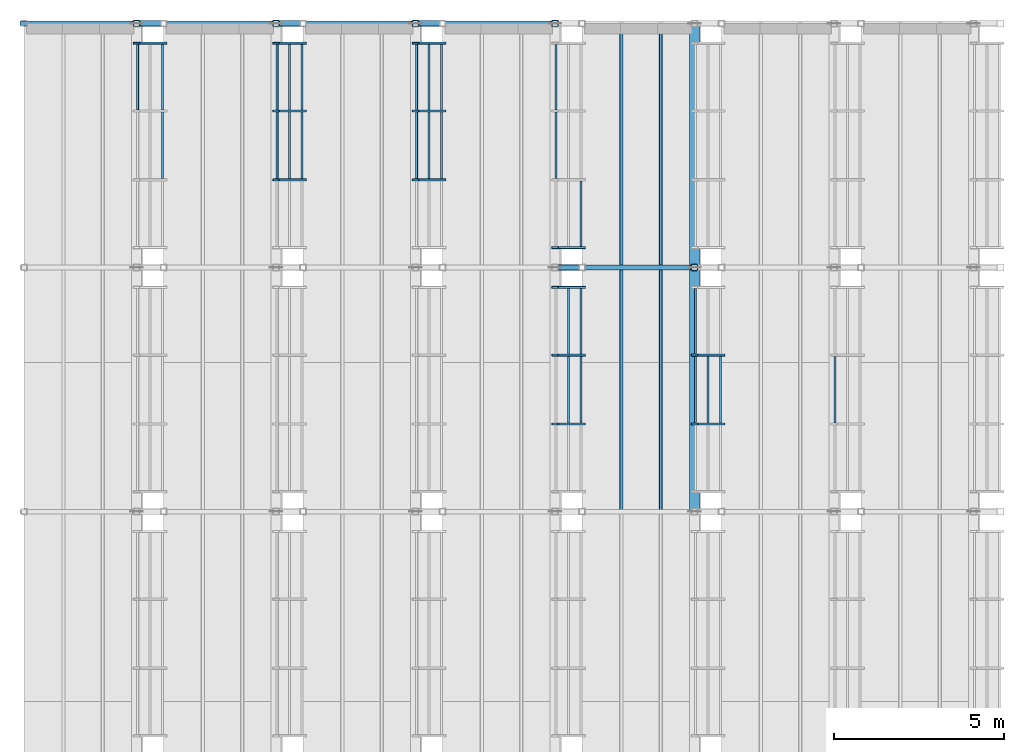
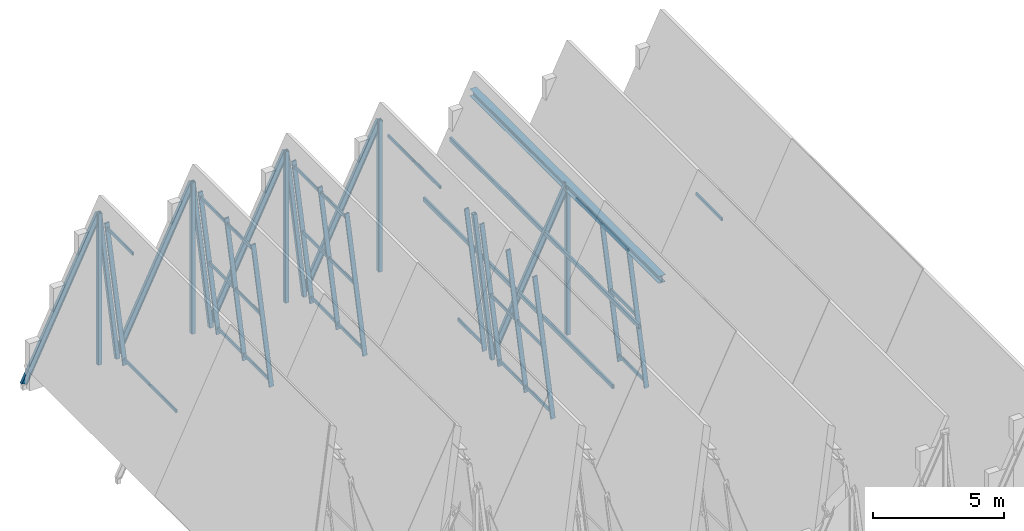
# One storey, part 8 of 28: 56 members, 1 beam, 7 elements without a shape of their own.
"""IFC4 building model written with IfcOpenShell, lengths in metres."""

from ifc_helpers import new_model, si_unit, direction, frame, origin, origin_2d, place, context, subcontext, project, spatial, hollow_rectangle, i_section, extrude, material, material_profile, profile_set, type_object, element, aggregate, save


model = new_model("IFC4")

# Units and contexts
model_context = context("Model", 3, precision=1e-05, world=origin(), true_north=direction((0.0, 1.0)))
body_context = subcontext(model_context, "Body", "Model", "MODEL_VIEW")
ifc_project = project(units=[si_unit("LENGTHUNIT", "METRE"), si_unit("AREAUNIT", "SQUARE_METRE"), si_unit("VOLUMEUNIT", "CUBIC_METRE"), si_unit("PLANEANGLEUNIT", "RADIAN"), si_unit("MASSUNIT", "GRAM", prefix="KILO")], contexts=[model_context])

# Site, building, storey
site_placement = place(None, origin())
site = spatial("IfcSite", under=ifc_project, at=site_placement, CompositionType="ELEMENT")
building_placement = place(site_placement, origin())
building = spatial("IfcBuilding", under=site, at=building_placement, Name="Bramveld Media Centre", CompositionType="ELEMENT")
storey_placement = place(building_placement, frame((0.0, 0.0, 33.89990234375)))
storey = spatial("IfcBuildingStorey", under=building, at=storey_placement, Name="ROOF", CompositionType="ELEMENT", Elevation=33.89990234375)

# Curtain wall, member
ifc_material_1 = material(Name="Thermally broken anodized bronze aluminium unitized curtain wall with solar-control triple glazing", Category="aluminium")
curtain_wall_type = type_object("IfcCurtainWallType", Name="CW-CRN-6100x6941", PredefinedType="NOTDEFINED", material=ifc_material_1)
curtain_wall_1_placement = place(storey_placement, origin())
curtain_wall_1 = element("IfcCurtainWall", 1, at=curtain_wall_1_placement, inside=storey, type_object=curtain_wall_type, Name="V7 crown clerestory B1-S4", PredefinedType="NOTDEFINED")
ifc_material_2 = material(Name="Thermally broken anodized bronze aluminium EN AW-6063 T6 curtain-wall framing", Category="aluminium")
ifc_material_profile_1 = material_profile(ifc_material_2, hollow_rectangle(XDim=0.070068359375, YDim=0.199951171875, WallThickness=0.00439453125, InnerFilletRadius=0.00439453125, OuterFilletRadius=0.009033203125, at=origin_2d()), Name="AL-MULL 70x200")
ifc_profile_set_1 = profile_set([ifc_material_profile_1], Name="Thermally broken anodized bronze aluminium EN AW-6063 T6 curtain-wall framing")
member_type_1 = type_object("IfcMemberType", Name="CW-MULL-SLP", PredefinedType="MULLION", material=ifc_profile_set_1)
member_1_placement = place(storey_placement, frame((135.314208984375, 111.4150390625, -0.02001953125), z_axis=(-0.115228868081, 0.0, 0.993338969315), x_axis=(0.0, -1.0, 0.0)))
member_1 = element("IfcMember", 2, at=member_1_placement, type_object=member_type_1, Name="CW-CR-6169 sloped mullion 4", PredefinedType="MULLION", context=body_context, shape_type="SweptSolid", body=[
    extrude(hollow_rectangle(XDim=0.070068359375, YDim=0.199951171875, WallThickness=0.00439453125, InnerFilletRadius=0.00439453125, OuterFilletRadius=0.009033203125, at=origin_2d()), origin(), (0.0, 0.0, 1.0), 6.94091796875),
])

# Curtain wall, members
curtain_wall_2_placement = place(storey_placement, origin())
curtain_wall_2 = element("IfcCurtainWall", 3, at=curtain_wall_2_placement, inside=storey, type_object=curtain_wall_type, Name="V7 crown clerestory B2-S4", PredefinedType="NOTDEFINED")
member_2_placement = place(storey_placement, frame((139.4287109375, 107.38330078125, -0.02001953125), z_axis=(-0.115263574492, 0.0, 0.993334942703), x_axis=(0.0, -1.0, 0.0)))
member_2 = element("IfcMember", 4, at=member_2_placement, type_object=member_type_1, Name="CW-CR-6169 sloped mullion 2", PredefinedType="MULLION", context=body_context, shape_type="SweptSolid", body=[
    extrude(hollow_rectangle(XDim=0.070068359375, YDim=0.199951171875, WallThickness=0.00439453125, InnerFilletRadius=0.00439453125, OuterFilletRadius=0.009033203125, at=origin_2d()), origin(), (0.0, 0.0, 1.0), 6.94091796875),
])
member_3_placement = place(storey_placement, frame((139.4287109375, 109.416748046875, -0.02001953125), z_axis=(-0.115263574492, 0.0, 0.993334942703), x_axis=(0.0, -1.0, 0.0)))
member_3 = element("IfcMember", 5, at=member_3_placement, type_object=member_type_1, Name="CW-CR-6169 sloped mullion 3", PredefinedType="MULLION", context=body_context, shape_type="SweptSolid", body=[
    extrude(hollow_rectangle(XDim=0.070068359375, YDim=0.199951171875, WallThickness=0.00439453125, InnerFilletRadius=0.00439453125, OuterFilletRadius=0.009033203125, at=origin_2d()), origin(), (0.0, 0.0, 1.0), 6.94091796875),
])
member_4_placement = place(storey_placement, frame((139.4287109375, 111.4150390625, -0.02001953125), z_axis=(-0.115263574492, 0.0, 0.993334942703), x_axis=(0.0, -1.0, 0.0)))
member_4 = element("IfcMember", 6, at=member_4_placement, type_object=member_type_1, Name="CW-CR-6169 sloped mullion 4", PredefinedType="MULLION", context=body_context, shape_type="SweptSolid", body=[
    extrude(hollow_rectangle(XDim=0.070068359375, YDim=0.199951171875, WallThickness=0.00439453125, InnerFilletRadius=0.00439453125, OuterFilletRadius=0.009033203125, at=origin_2d()), origin(), (0.0, 0.0, 1.0), 6.94091796875),
])

curtain_wall_3_placement = place(storey_placement, origin())
curtain_wall_3 = element("IfcCurtainWall", 7, at=curtain_wall_3_placement, inside=storey, type_object=curtain_wall_type, Name="V7 crown clerestory B3-S4", PredefinedType="NOTDEFINED")
member_5_placement = place(storey_placement, frame((143.54296875, 107.38330078125, -0.02001953125), z_axis=(-0.115263574492, 0.0, 0.993334942703), x_axis=(0.0, -1.0, 0.0)))
member_5 = element("IfcMember", 8, at=member_5_placement, type_object=member_type_1, Name="CW-CR-6169 sloped mullion 2", PredefinedType="MULLION", context=body_context, shape_type="SweptSolid", body=[
    extrude(hollow_rectangle(XDim=0.070068359375, YDim=0.199951171875, WallThickness=0.00439453125, InnerFilletRadius=0.00439453125, OuterFilletRadius=0.009033203125, at=origin_2d()), origin(), (0.0, 0.0, 1.0), 6.94091796875),
])
member_6_placement = place(storey_placement, frame((143.54296875, 109.416748046875, -0.02001953125), z_axis=(-0.115263574492, 0.0, 0.993334942703), x_axis=(0.0, -1.0, 0.0)))
member_6 = element("IfcMember", 9, at=member_6_placement, type_object=member_type_1, Name="CW-CR-6169 sloped mullion 3", PredefinedType="MULLION", context=body_context, shape_type="SweptSolid", body=[
    extrude(hollow_rectangle(XDim=0.070068359375, YDim=0.199951171875, WallThickness=0.00439453125, InnerFilletRadius=0.00439453125, OuterFilletRadius=0.009033203125, at=origin_2d()), origin(), (0.0, 0.0, 1.0), 6.94091796875),
])
member_7_placement = place(storey_placement, frame((143.54296875, 111.4150390625, -0.02001953125), z_axis=(-0.115263574492, 0.0, 0.993334942703), x_axis=(0.0, -1.0, 0.0)))
member_7 = element("IfcMember", 10, at=member_7_placement, type_object=member_type_1, Name="CW-CR-6169 sloped mullion 4", PredefinedType="MULLION", context=body_context, shape_type="SweptSolid", body=[
    extrude(hollow_rectangle(XDim=0.070068359375, YDim=0.199951171875, WallThickness=0.00439453125, InnerFilletRadius=0.00439453125, OuterFilletRadius=0.009033203125, at=origin_2d()), origin(), (0.0, 0.0, 1.0), 6.94091796875),
])

curtain_wall_4_placement = place(storey_placement, origin())
curtain_wall_4 = element("IfcCurtainWall", 11, at=curtain_wall_4_placement, inside=storey, type_object=curtain_wall_type, Name="V7 crown clerestory B4-S3", PredefinedType="NOTDEFINED")
member_8_placement = place(storey_placement, frame((147.656982421875, 100.183349609375, -0.02001953125), z_axis=(-0.115228868081, 0.0, 0.993338969315), x_axis=(0.0, -1.0, 0.0)))
member_8 = element("IfcMember", 12, at=member_8_placement, type_object=member_type_1, Name="CW-CR-6169 sloped mullion 2", PredefinedType="MULLION", context=body_context, shape_type="SweptSolid", body=[
    extrude(hollow_rectangle(XDim=0.070068359375, YDim=0.199951171875, WallThickness=0.00439453125, InnerFilletRadius=0.00439453125, OuterFilletRadius=0.009033203125, at=origin_2d()), origin(), (0.0, 0.0, 1.0), 6.94091796875),
])
member_9_placement = place(storey_placement, frame((147.656982421875, 102.216796875, -0.02001953125), z_axis=(-0.115228868081, 0.0, 0.993338969315), x_axis=(0.0, -1.0, 0.0)))
member_9 = element("IfcMember", 13, at=member_9_placement, type_object=member_type_1, Name="CW-CR-6169 sloped mullion 3", PredefinedType="MULLION", context=body_context, shape_type="SweptSolid", body=[
    extrude(hollow_rectangle(XDim=0.070068359375, YDim=0.199951171875, WallThickness=0.00439453125, InnerFilletRadius=0.00439453125, OuterFilletRadius=0.009033203125, at=origin_2d()), origin(), (0.0, 0.0, 1.0), 6.94091796875),
])
member_10_placement = place(storey_placement, frame((147.656982421875, 104.215087890625, -0.02001953125), z_axis=(-0.115228868081, 0.0, 0.993338969315), x_axis=(0.0, -1.0, 0.0)))
member_10 = element("IfcMember", 14, at=member_10_placement, type_object=member_type_1, Name="CW-CR-6169 sloped mullion 4", PredefinedType="MULLION", context=body_context, shape_type="SweptSolid", body=[
    extrude(hollow_rectangle(XDim=0.070068359375, YDim=0.199951171875, WallThickness=0.00439453125, InnerFilletRadius=0.00439453125, OuterFilletRadius=0.009033203125, at=origin_2d()), origin(), (0.0, 0.0, 1.0), 6.94091796875),
])

# Curtain wall, member
curtain_wall_5_placement = place(storey_placement, origin())
curtain_wall_5 = element("IfcCurtainWall", 15, at=curtain_wall_5_placement, inside=storey, type_object=curtain_wall_type, Name="V7 crown clerestory B4-S4", PredefinedType="NOTDEFINED")
member_11_placement = place(storey_placement, frame((147.656982421875, 105.385009765625, -0.02001953125), z_axis=(-0.115228868081, 0.0, 0.993338969315), x_axis=(0.0, -1.0, 0.0)))
member_11 = element("IfcMember", 16, at=member_11_placement, type_object=member_type_1, Name="CW-CR-6169 sloped mullion 1", PredefinedType="MULLION", context=body_context, shape_type="SweptSolid", body=[
    extrude(hollow_rectangle(XDim=0.070068359375, YDim=0.199951171875, WallThickness=0.00439453125, InnerFilletRadius=0.00439453125, OuterFilletRadius=0.009033203125, at=origin_2d()), origin(), (0.0, 0.0, 1.0), 6.94091796875),
])

# Curtain wall, members
curtain_wall_6_placement = place(storey_placement, origin())
curtain_wall_6 = element("IfcCurtainWall", 17, at=curtain_wall_6_placement, inside=storey, type_object=curtain_wall_type, Name="V7 crown clerestory B5-S3", PredefinedType="NOTDEFINED")
member_12_placement = place(storey_placement, frame((151.771484375, 100.183349609375, -0.02001953125), z_axis=(-0.115263574492, 0.0, 0.993334942703), x_axis=(0.0, -1.0, 0.0)))
member_12 = element("IfcMember", 18, at=member_12_placement, type_object=member_type_1, Name="CW-CR-6169 sloped mullion 2", PredefinedType="MULLION", context=body_context, shape_type="SweptSolid", body=[
    extrude(hollow_rectangle(XDim=0.070068359375, YDim=0.199951171875, WallThickness=0.00439453125, InnerFilletRadius=0.00439453125, OuterFilletRadius=0.009033203125, at=origin_2d()), origin(), (0.0, 0.0, 1.0), 6.94091796875),
])
member_13_placement = place(storey_placement, frame((151.771484375, 102.216796875, -0.02001953125), z_axis=(-0.115263574492, 0.0, 0.993334942703), x_axis=(0.0, -1.0, 0.0)))
member_13 = element("IfcMember", 19, at=member_13_placement, type_object=member_type_1, Name="CW-CR-6169 sloped mullion 3", PredefinedType="MULLION", context=body_context, shape_type="SweptSolid", body=[
    extrude(hollow_rectangle(XDim=0.070068359375, YDim=0.199951171875, WallThickness=0.00439453125, InnerFilletRadius=0.00439453125, OuterFilletRadius=0.009033203125, at=origin_2d()), origin(), (0.0, 0.0, 1.0), 6.94091796875),
])

# Member
ifc_material_3 = material(Name="Thermally broken anodized bronze aluminium EN AW-6063 T6 curtain-wall framing", Category="aluminium")
ifc_material_profile_2 = material_profile(ifc_material_3, hollow_rectangle(XDim=0.070068359375, YDim=0.14990234375, WallThickness=0.00390625, InnerFilletRadius=0.00390625, OuterFilletRadius=0.008056640625, at=origin_2d()), Name="AL-TRAN 70x150")
ifc_profile_set_2 = profile_set([ifc_material_profile_2], Name="Thermally broken anodized bronze aluminium EN AW-6063 T6 curtain-wall framing")
member_type_2 = type_object("IfcMemberType", Name="CW-TRAN-SLP", PredefinedType="USERDEFINED", material=ifc_profile_set_2)
member_14_placement = place(storey_placement, frame((135.2822265625, 107.418212890625, 0.255859375), z_axis=(0.0, 1.0, 0.0), x_axis=(-1.0, 0.0, 0.0)))
member_14 = element("IfcMember", 20, at=member_14_placement, type_object=member_type_2, Name="CW-CR-6169 transom 2.1", ObjectType="TRANSOM", PredefinedType="USERDEFINED", context=body_context, shape_type="SweptSolid", body=[
    extrude(hollow_rectangle(XDim=0.070068359375, YDim=0.14990234375, WallThickness=0.00390625, InnerFilletRadius=0.00390625, OuterFilletRadius=0.008056640625, at=origin_2d()), origin(), (0.0, 0.0, 1.0), 1.96337890625),
])

member_15_placement = place(storey_placement, frame((135.2822265625, 109.45166015625, 0.255859375), z_axis=(0.0, 1.0, 0.0), x_axis=(-1.0, 0.0, 0.0)))
member_15 = element("IfcMember", 21, at=member_15_placement, type_object=member_type_2, Name="CW-CR-6169 transom 3.1", ObjectType="TRANSOM", PredefinedType="USERDEFINED", context=body_context, shape_type="SweptSolid", body=[
    extrude(hollow_rectangle(XDim=0.070068359375, YDim=0.14990234375, WallThickness=0.00390625, InnerFilletRadius=0.00390625, OuterFilletRadius=0.008056640625, at=origin_2d()), origin(), (0.0, 0.0, 1.0), 1.92822265625),
])

member_16_placement = place(storey_placement, frame((134.54638671875, 109.45166015625, 6.598876953125), z_axis=(0.0, 1.0, 0.0), x_axis=(-1.0, 0.0, 0.0)))
member_16 = element("IfcMember", 22, at=member_16_placement, type_object=member_type_2, Name="CW-CR-6169 transom 3.3", ObjectType="TRANSOM", PredefinedType="USERDEFINED", context=body_context, shape_type="SweptSolid", body=[
    extrude(hollow_rectangle(XDim=0.070068359375, YDim=0.14990234375, WallThickness=0.00390625, InnerFilletRadius=0.00390625, OuterFilletRadius=0.008056640625, at=origin_2d()), origin(), (0.0, 0.0, 1.0), 1.92822265625),
])

aggregate(curtain_wall_1, [member_1, member_14, member_15, member_16])

member_17_placement = place(storey_placement, frame((139.396484375, 107.418212890625, 0.255859375), z_axis=(0.0, 1.0, 0.0), x_axis=(-1.0, 0.0, 0.0)))
member_17 = element("IfcMember", 23, at=member_17_placement, type_object=member_type_2, Name="CW-CR-6169 transom 2.1", ObjectType="TRANSOM", PredefinedType="USERDEFINED", context=body_context, shape_type="SweptSolid", body=[
    extrude(hollow_rectangle(XDim=0.070068359375, YDim=0.14990234375, WallThickness=0.00390625, InnerFilletRadius=0.00390625, OuterFilletRadius=0.008056640625, at=origin_2d()), origin(), (0.0, 0.0, 1.0), 1.96337890625),
])

member_18_placement = place(storey_placement, frame((139.028564453125, 107.418212890625, 3.427490234375), z_axis=(0.0, 1.0, 0.0), x_axis=(-1.0, 0.0, 0.0)))
member_18 = element("IfcMember", 24, at=member_18_placement, type_object=member_type_2, Name="CW-CR-6169 transom 2.2", ObjectType="TRANSOM", PredefinedType="USERDEFINED", context=body_context, shape_type="SweptSolid", body=[
    extrude(hollow_rectangle(XDim=0.070068359375, YDim=0.14990234375, WallThickness=0.00390625, InnerFilletRadius=0.00390625, OuterFilletRadius=0.008056640625, at=origin_2d()), origin(), (0.0, 0.0, 1.0), 1.96337890625),
])

member_19_placement = place(storey_placement, frame((138.66064453125, 107.418212890625, 6.598876953125), z_axis=(0.0, 1.0, 0.0), x_axis=(-1.0, 0.0, 0.0)))
member_19 = element("IfcMember", 25, at=member_19_placement, type_object=member_type_2, Name="CW-CR-6169 transom 2.3", ObjectType="TRANSOM", PredefinedType="USERDEFINED", context=body_context, shape_type="SweptSolid", body=[
    extrude(hollow_rectangle(XDim=0.070068359375, YDim=0.14990234375, WallThickness=0.00390625, InnerFilletRadius=0.00390625, OuterFilletRadius=0.008056640625, at=origin_2d()), origin(), (0.0, 0.0, 1.0), 1.96337890625),
])

member_20_placement = place(storey_placement, frame((139.396484375, 109.45166015625, 0.255859375), z_axis=(0.0, 1.0, 0.0), x_axis=(-1.0, 0.0, 0.0)))
member_20 = element("IfcMember", 26, at=member_20_placement, type_object=member_type_2, Name="CW-CR-6169 transom 3.1", ObjectType="TRANSOM", PredefinedType="USERDEFINED", context=body_context, shape_type="SweptSolid", body=[
    extrude(hollow_rectangle(XDim=0.070068359375, YDim=0.14990234375, WallThickness=0.00390625, InnerFilletRadius=0.00390625, OuterFilletRadius=0.008056640625, at=origin_2d()), origin(), (0.0, 0.0, 1.0), 1.92822265625),
])

member_21_placement = place(storey_placement, frame((139.028564453125, 109.45166015625, 3.427490234375), z_axis=(0.0, 1.0, 0.0), x_axis=(-1.0, 0.0, 0.0)))
member_21 = element("IfcMember", 27, at=member_21_placement, type_object=member_type_2, Name="CW-CR-6169 transom 3.2", ObjectType="TRANSOM", PredefinedType="USERDEFINED", context=body_context, shape_type="SweptSolid", body=[
    extrude(hollow_rectangle(XDim=0.070068359375, YDim=0.14990234375, WallThickness=0.00390625, InnerFilletRadius=0.00390625, OuterFilletRadius=0.008056640625, at=origin_2d()), origin(), (0.0, 0.0, 1.0), 1.92822265625),
])

member_22_placement = place(storey_placement, frame((138.66064453125, 109.45166015625, 6.598876953125), z_axis=(0.0, 1.0, 0.0), x_axis=(-1.0, 0.0, 0.0)))
member_22 = element("IfcMember", 28, at=member_22_placement, type_object=member_type_2, Name="CW-CR-6169 transom 3.3", ObjectType="TRANSOM", PredefinedType="USERDEFINED", context=body_context, shape_type="SweptSolid", body=[
    extrude(hollow_rectangle(XDim=0.070068359375, YDim=0.14990234375, WallThickness=0.00390625, InnerFilletRadius=0.00390625, OuterFilletRadius=0.008056640625, at=origin_2d()), origin(), (0.0, 0.0, 1.0), 1.92822265625),
])

aggregate(curtain_wall_2, [member_2, member_3, member_4, member_17, member_18, member_19, member_20, member_21, member_22])

member_23_placement = place(storey_placement, frame((143.510986328125, 107.418212890625, 0.255859375), z_axis=(0.0, 1.0, 0.0), x_axis=(-1.0, 0.0, 0.0)))
member_23 = element("IfcMember", 29, at=member_23_placement, type_object=member_type_2, Name="CW-CR-6169 transom 2.1", ObjectType="TRANSOM", PredefinedType="USERDEFINED", context=body_context, shape_type="SweptSolid", body=[
    extrude(hollow_rectangle(XDim=0.070068359375, YDim=0.14990234375, WallThickness=0.00390625, InnerFilletRadius=0.00390625, OuterFilletRadius=0.008056640625, at=origin_2d()), origin(), (0.0, 0.0, 1.0), 1.96337890625),
])

member_24_placement = place(storey_placement, frame((143.142822265625, 107.418212890625, 3.427490234375), z_axis=(0.0, 1.0, 0.0), x_axis=(-1.0, 0.0, 0.0)))
member_24 = element("IfcMember", 30, at=member_24_placement, type_object=member_type_2, Name="CW-CR-6169 transom 2.2", ObjectType="TRANSOM", PredefinedType="USERDEFINED", context=body_context, shape_type="SweptSolid", body=[
    extrude(hollow_rectangle(XDim=0.070068359375, YDim=0.14990234375, WallThickness=0.00390625, InnerFilletRadius=0.00390625, OuterFilletRadius=0.008056640625, at=origin_2d()), origin(), (0.0, 0.0, 1.0), 1.96337890625),
])

member_25_placement = place(storey_placement, frame((142.77490234375, 107.418212890625, 6.598876953125), z_axis=(0.0, 1.0, 0.0), x_axis=(-1.0, 0.0, 0.0)))
member_25 = element("IfcMember", 31, at=member_25_placement, type_object=member_type_2, Name="CW-CR-6169 transom 2.3", ObjectType="TRANSOM", PredefinedType="USERDEFINED", context=body_context, shape_type="SweptSolid", body=[
    extrude(hollow_rectangle(XDim=0.070068359375, YDim=0.14990234375, WallThickness=0.00390625, InnerFilletRadius=0.00390625, OuterFilletRadius=0.008056640625, at=origin_2d()), origin(), (0.0, 0.0, 1.0), 1.96337890625),
])

member_26_placement = place(storey_placement, frame((143.510986328125, 109.45166015625, 0.255859375), z_axis=(0.0, 1.0, 0.0), x_axis=(-1.0, 0.0, 0.0)))
member_26 = element("IfcMember", 32, at=member_26_placement, type_object=member_type_2, Name="CW-CR-6169 transom 3.1", ObjectType="TRANSOM", PredefinedType="USERDEFINED", context=body_context, shape_type="SweptSolid", body=[
    extrude(hollow_rectangle(XDim=0.070068359375, YDim=0.14990234375, WallThickness=0.00390625, InnerFilletRadius=0.00390625, OuterFilletRadius=0.008056640625, at=origin_2d()), origin(), (0.0, 0.0, 1.0), 1.92822265625),
])

member_27_placement = place(storey_placement, frame((143.142822265625, 109.45166015625, 3.427490234375), z_axis=(0.0, 1.0, 0.0), x_axis=(-1.0, 0.0, 0.0)))
member_27 = element("IfcMember", 33, at=member_27_placement, type_object=member_type_2, Name="CW-CR-6169 transom 3.2", ObjectType="TRANSOM", PredefinedType="USERDEFINED", context=body_context, shape_type="SweptSolid", body=[
    extrude(hollow_rectangle(XDim=0.070068359375, YDim=0.14990234375, WallThickness=0.00390625, InnerFilletRadius=0.00390625, OuterFilletRadius=0.008056640625, at=origin_2d()), origin(), (0.0, 0.0, 1.0), 1.92822265625),
])

member_28_placement = place(storey_placement, frame((142.77490234375, 109.45166015625, 6.598876953125), z_axis=(0.0, 1.0, 0.0), x_axis=(-1.0, 0.0, 0.0)))
member_28 = element("IfcMember", 34, at=member_28_placement, type_object=member_type_2, Name="CW-CR-6169 transom 3.3", ObjectType="TRANSOM", PredefinedType="USERDEFINED", context=body_context, shape_type="SweptSolid", body=[
    extrude(hollow_rectangle(XDim=0.070068359375, YDim=0.14990234375, WallThickness=0.00390625, InnerFilletRadius=0.00390625, OuterFilletRadius=0.008056640625, at=origin_2d()), origin(), (0.0, 0.0, 1.0), 1.92822265625),
])

aggregate(curtain_wall_3, [member_5, member_6, member_7, member_23, member_24, member_25, member_26, member_27, member_28])

member_29_placement = place(storey_placement, frame((147.625, 100.21826171875, 0.255859375), z_axis=(0.0, 1.0, 0.0), x_axis=(-1.0, 0.0, 0.0)))
member_29 = element("IfcMember", 35, at=member_29_placement, type_object=member_type_2, Name="CW-CR-6169 transom 2.1", ObjectType="TRANSOM", PredefinedType="USERDEFINED", context=body_context, shape_type="SweptSolid", body=[
    extrude(hollow_rectangle(XDim=0.070068359375, YDim=0.14990234375, WallThickness=0.00390625, InnerFilletRadius=0.00390625, OuterFilletRadius=0.008056640625, at=origin_2d()), origin(), (0.0, 0.0, 1.0), 1.96337890625),
])

member_30_placement = place(storey_placement, frame((147.257080078125, 100.21826171875, 3.427490234375), z_axis=(0.0, 1.0, 0.0), x_axis=(-1.0, 0.0, 0.0)))
member_30 = element("IfcMember", 36, at=member_30_placement, type_object=member_type_2, Name="CW-CR-6169 transom 2.2", ObjectType="TRANSOM", PredefinedType="USERDEFINED", context=body_context, shape_type="SweptSolid", body=[
    extrude(hollow_rectangle(XDim=0.070068359375, YDim=0.14990234375, WallThickness=0.00390625, InnerFilletRadius=0.00390625, OuterFilletRadius=0.008056640625, at=origin_2d()), origin(), (0.0, 0.0, 1.0), 1.96337890625),
])

member_31_placement = place(storey_placement, frame((147.625, 102.251708984375, 0.255859375), z_axis=(0.0, 1.0, 0.0), x_axis=(-1.0, 0.0, 0.0)))
member_31 = element("IfcMember", 37, at=member_31_placement, type_object=member_type_2, Name="CW-CR-6169 transom 3.1", ObjectType="TRANSOM", PredefinedType="USERDEFINED", context=body_context, shape_type="SweptSolid", body=[
    extrude(hollow_rectangle(XDim=0.070068359375, YDim=0.14990234375, WallThickness=0.00390625, InnerFilletRadius=0.00390625, OuterFilletRadius=0.008056640625, at=origin_2d()), origin(), (0.0, 0.0, 1.0), 1.92822265625),
])

member_32_placement = place(storey_placement, frame((147.257080078125, 102.251708984375, 3.427490234375), z_axis=(0.0, 1.0, 0.0), x_axis=(-1.0, 0.0, 0.0)))
member_32 = element("IfcMember", 38, at=member_32_placement, type_object=member_type_2, Name="CW-CR-6169 transom 3.2", ObjectType="TRANSOM", PredefinedType="USERDEFINED", context=body_context, shape_type="SweptSolid", body=[
    extrude(hollow_rectangle(XDim=0.070068359375, YDim=0.14990234375, WallThickness=0.00390625, InnerFilletRadius=0.00390625, OuterFilletRadius=0.008056640625, at=origin_2d()), origin(), (0.0, 0.0, 1.0), 1.92822265625),
])

aggregate(curtain_wall_4, [member_8, member_9, member_10, member_29, member_30, member_31, member_32])

member_33_placement = place(storey_placement, frame((147.625, 105.419921875, 0.255859375), z_axis=(0.0, 1.0, 0.0), x_axis=(-1.0, 0.0, 0.0)))
member_33 = element("IfcMember", 39, at=member_33_placement, type_object=member_type_2, Name="CW-CR-6169 transom 1.1", ObjectType="TRANSOM", PredefinedType="USERDEFINED", context=body_context, shape_type="SweptSolid", body=[
    extrude(hollow_rectangle(XDim=0.070068359375, YDim=0.14990234375, WallThickness=0.00390625, InnerFilletRadius=0.00390625, OuterFilletRadius=0.008056640625, at=origin_2d()), origin(), (0.0, 0.0, 1.0), 1.928466796875),
])

member_34_placement = place(storey_placement, frame((146.88916015625, 107.418212890625, 6.598876953125), z_axis=(0.0, 1.0, 0.0), x_axis=(-1.0, 0.0, 0.0)))
member_34 = element("IfcMember", 40, at=member_34_placement, type_object=member_type_2, Name="CW-CR-6169 transom 2.3", ObjectType="TRANSOM", PredefinedType="USERDEFINED", context=body_context, shape_type="SweptSolid", body=[
    extrude(hollow_rectangle(XDim=0.070068359375, YDim=0.14990234375, WallThickness=0.00390625, InnerFilletRadius=0.00390625, OuterFilletRadius=0.008056640625, at=origin_2d()), origin(), (0.0, 0.0, 1.0), 1.96337890625),
])

member_35_placement = place(storey_placement, frame((146.88916015625, 109.45166015625, 6.598876953125), z_axis=(0.0, 1.0, 0.0), x_axis=(-1.0, 0.0, 0.0)))
member_35 = element("IfcMember", 41, at=member_35_placement, type_object=member_type_2, Name="CW-CR-6169 transom 3.3", ObjectType="TRANSOM", PredefinedType="USERDEFINED", context=body_context, shape_type="SweptSolid", body=[
    extrude(hollow_rectangle(XDim=0.070068359375, YDim=0.14990234375, WallThickness=0.00390625, InnerFilletRadius=0.00390625, OuterFilletRadius=0.008056640625, at=origin_2d()), origin(), (0.0, 0.0, 1.0), 1.92822265625),
])

aggregate(curtain_wall_5, [member_11, member_33, member_34, member_35])

member_36_placement = place(storey_placement, frame((151.739501953125, 100.21826171875, 0.255859375), z_axis=(0.0, 1.0, 0.0), x_axis=(-1.0, 0.0, 0.0)))
member_36 = element("IfcMember", 42, at=member_36_placement, type_object=member_type_2, Name="CW-CR-6169 transom 2.1", ObjectType="TRANSOM", PredefinedType="USERDEFINED", context=body_context, shape_type="SweptSolid", body=[
    extrude(hollow_rectangle(XDim=0.070068359375, YDim=0.14990234375, WallThickness=0.00390625, InnerFilletRadius=0.00390625, OuterFilletRadius=0.008056640625, at=origin_2d()), origin(), (0.0, 0.0, 1.0), 1.96337890625),
])

member_37_placement = place(storey_placement, frame((151.371337890625, 100.21826171875, 3.427490234375), z_axis=(0.0, 1.0, 0.0), x_axis=(-1.0, 0.0, 0.0)))
member_37 = element("IfcMember", 43, at=member_37_placement, type_object=member_type_2, Name="CW-CR-6169 transom 2.2", ObjectType="TRANSOM", PredefinedType="USERDEFINED", context=body_context, shape_type="SweptSolid", body=[
    extrude(hollow_rectangle(XDim=0.070068359375, YDim=0.14990234375, WallThickness=0.00390625, InnerFilletRadius=0.00390625, OuterFilletRadius=0.008056640625, at=origin_2d()), origin(), (0.0, 0.0, 1.0), 1.96337890625),
])

member_38_placement = place(storey_placement, frame((151.00341796875, 100.21826171875, 6.598876953125), z_axis=(0.0, 1.0, 0.0), x_axis=(-1.0, 0.0, 0.0)))
member_38 = element("IfcMember", 44, at=member_38_placement, type_object=member_type_2, Name="CW-CR-6169 transom 2.3", ObjectType="TRANSOM", PredefinedType="USERDEFINED", context=body_context, shape_type="SweptSolid", body=[
    extrude(hollow_rectangle(XDim=0.070068359375, YDim=0.14990234375, WallThickness=0.00390625, InnerFilletRadius=0.00390625, OuterFilletRadius=0.008056640625, at=origin_2d()), origin(), (0.0, 0.0, 1.0), 1.96337890625),
])

member_39_placement = place(storey_placement, frame((151.00341796875, 102.251708984375, 6.598876953125), z_axis=(0.0, 1.0, 0.0), x_axis=(-1.0, 0.0, 0.0)))
member_39 = element("IfcMember", 45, at=member_39_placement, type_object=member_type_2, Name="CW-CR-6169 transom 3.3", ObjectType="TRANSOM", PredefinedType="USERDEFINED", context=body_context, shape_type="SweptSolid", body=[
    extrude(hollow_rectangle(XDim=0.070068359375, YDim=0.14990234375, WallThickness=0.00390625, InnerFilletRadius=0.00390625, OuterFilletRadius=0.008056640625, at=origin_2d()), origin(), (0.0, 0.0, 1.0), 1.92822265625),
])

aggregate(curtain_wall_6, [member_12, member_13, member_36, member_37, member_38, member_39])

# Curtain wall, member
curtain_wall_7_placement = place(storey_placement, origin())
curtain_wall_7 = element("IfcCurtainWall", 46, at=curtain_wall_7_placement, inside=storey, type_object=curtain_wall_type, Name="V7 crown clerestory B6-S3", PredefinedType="NOTDEFINED")
member_40_placement = place(storey_placement, frame((155.11767578125, 100.21826171875, 6.598876953125), z_axis=(0.0, 1.0, 0.0), x_axis=(-1.0, 0.0, 0.0)))
member_40 = element("IfcMember", 47, at=member_40_placement, type_object=member_type_2, Name="CW-CR-6169 transom 2.3", ObjectType="TRANSOM", PredefinedType="USERDEFINED", context=body_context, shape_type="SweptSolid", body=[
    extrude(hollow_rectangle(XDim=0.070068359375, YDim=0.14990234375, WallThickness=0.00390625, InnerFilletRadius=0.00390625, OuterFilletRadius=0.008056640625, at=origin_2d()), origin(), (0.0, 0.0, 1.0), 1.96337890625),
])
aggregate(curtain_wall_7, [member_40])

# Members
ifc_material_4 = material(Name="Steel S355J2H", Category="steel")
ifc_material_profile_3 = material_profile(ifc_material_4, hollow_rectangle(XDim=0.179931640625, YDim=0.179931640625, WallThickness=0.010009765625, InnerFilletRadius=0.010009765625, OuterFilletRadius=0.02001953125, at=origin_2d()), Name="SHS 180x180x10")
ifc_profile_set_3 = profile_set([ifc_material_profile_3], Name="Steel S355J2H")
member_type_3 = type_object("IfcMemberType", Name="MEM-POST-SHS180", PredefinedType="POST", material=ifc_profile_set_3)
for number, where, z_axis, x_axis, name in (
    (48, (134.514404296875, 112.0, -0.0498046875), (0.0, 0.0, 1.0), (1.0, 0.0, 0.0), "CRN-FR-B01-F5 gable kingpost"),
    (49, (138.628662109375, 112.0, -0.0498046875), (0.0, 0.0, 1.0), (1.0, 0.0, 0.0), "CRN-FR-B02-F5 gable kingpost"),
    (50, (142.742919921875, 112.0, -0.0498046875), (0.0, 0.0, 1.0), (1.0, 0.0, 0.0), "CRN-FR-B03-F5 gable kingpost"),
    (51, (146.857177734375, 112.0, -0.0498046875), (0.0, 0.0, 1.0), (1.0, 0.0, 0.0), "CRN-FR-B04-F5 gable kingpost"),
    (52, (150.971435546875, 104.800048828125, -0.0498046875), (0.0, 0.0, 1.0), (1.0, 0.0, 0.0), "CRN-FR-B05-F4 gable kingpost"),
):
    element("IfcMember", number, at=place(storey_placement, frame(where, z_axis=z_axis, x_axis=x_axis)), inside=storey, type_object=member_type_3, Name=name, PredefinedType="POST", context=body_context, shape_type="SweptSolid", body=[
        extrude(hollow_rectangle(XDim=0.179931640625, YDim=0.179931640625, WallThickness=0.010009765625, InnerFilletRadius=0.010009765625, OuterFilletRadius=0.02001953125, at=origin_2d()), origin(), (0.0, 0.0, 1.0), 7.044677734375),
    ])
ifc_material_5 = material(Name="Steel S355J2H", Category="steel")
ifc_material_profile_4 = material_profile(ifc_material_5, hollow_rectangle(XDim=0.10009765625, YDim=0.199951171875, WallThickness=0.008056640625, InnerFilletRadius=0.008056640625, OuterFilletRadius=0.01611328125, at=origin_2d()), Name="RHS 200x100x8")
ifc_profile_set_4 = profile_set([ifc_material_profile_4], Name="Steel S355J2H")
member_type_4 = type_object("IfcMemberType", Name="MEM-PURLIN-RHS200", PredefinedType="PURLIN", material=ifc_profile_set_4)
for number, where, z_axis, x_axis, name in (
    (53, (148.817138671875, 97.60009765625, 2.61083984375), (0.0, 1.0, 0.0), (-1.0, 0.0, 0.0), "V7 crown gable purlin"),
    (54, (149.97705078125, 97.60009765625, 4.997802734375), (0.0, 1.0, 0.0), (-1.0, 0.0, 0.0), "V7 crown gable purlin"),
):
    element("IfcMember", number, at=place(storey_placement, frame(where, z_axis=z_axis, x_axis=x_axis)), inside=storey, type_object=member_type_4, Name=name, PredefinedType="PURLIN", context=body_context, shape_type="SweptSolid", body=[
        extrude(hollow_rectangle(XDim=0.10009765625, YDim=0.199951171875, WallThickness=0.008056640625, InnerFilletRadius=0.008056640625, OuterFilletRadius=0.01611328125, at=origin_2d()), origin(), (0.0, 0.0, 1.0), 14.39990234375),
    ])
ifc_material_6 = material(Name="Steel S355J2", Category="steel")
ifc_material_profile_5 = material_profile(ifc_material_6, i_section(OverallWidth=0.135009765625, OverallDepth=0.27001953125, WebThickness=0.006591796875, FlangeThickness=0.01025390625, FilletRadius=0.014892578125, at=origin_2d()), Name="IPE 270")
ifc_profile_set_5 = profile_set([ifc_material_profile_5], Name="Steel S355J2")
member_type_5 = type_object("IfcMemberType", Name="MEM-RAFTER-IPE270", PredefinedType="RAFTER", material=ifc_profile_set_5)
for number, where, z_axis, x_axis, name in (
    (55, (131.199951171875, 112.0, 0.1748046875), (0.437101193692, 0.0, 0.899412333956), (0.0, 1.0, 0.0), "CRN-FR-B01-F5 gable rafter"),
    (56, (135.314208984375, 112.0, 0.1748046875), (0.437101193692, 0.0, 0.899412333956), (0.0, 1.0, 0.0), "CRN-FR-B02-F5 gable rafter"),
    (57, (139.4287109375, 112.0, 0.1748046875), (0.437075147934, 0.0, 0.899424991347), (0.0, 1.0, 0.0), "CRN-FR-B03-F5 gable rafter"),
    (58, (143.54296875, 112.0, 0.1748046875), (0.437075147934, 0.0, 0.899424991347), (0.0, 1.0, 0.0), "CRN-FR-B04-F5 gable rafter"),
    (59, (147.656982421875, 104.800048828125, 0.1748046875), (0.437101193692, 0.0, 0.899412333956), (0.0, 1.0, 0.0), "CRN-FR-B05-F4 gable rafter"),
):
    element("IfcMember", number, at=place(storey_placement, frame(where, z_axis=z_axis, x_axis=x_axis)), inside=storey, type_object=member_type_5, Name=name, PredefinedType="RAFTER", context=body_context, shape_type="SweptSolid", body=[
        extrude(i_section(OverallWidth=0.135009765625, OverallDepth=0.27001953125, WebThickness=0.006591796875, FlangeThickness=0.01025390625, FilletRadius=0.014892578125, at=origin_2d()), origin(), (0.0, 0.0, 1.0), 7.582763671875),
    ])
ifc_material_7 = material(Name="Steel S355J2H", Category="steel")
ifc_material_profile_6 = material_profile(ifc_material_7, hollow_rectangle(XDim=0.179931640625, YDim=0.179931640625, WallThickness=0.010009765625, InnerFilletRadius=0.010009765625, OuterFilletRadius=0.02001953125, at=origin_2d()), Name="SHS 180x180x10")
ifc_profile_set_6 = profile_set([ifc_material_profile_6], Name="Steel S355J2H")
member_type_6 = type_object("IfcMemberType", Name="MEM-STRUT-SHS180", PredefinedType="STRUT", material=ifc_profile_set_6)
for number, where, z_axis, x_axis, name in (
    (60, (135.314208984375, 112.0, -0.0498046875), (-0.112808472616, 0.0, 0.993616751321), (0.0, -1.0, 0.0), "CRN-FR-B01-F5 gable strut"),
    (61, (139.4287109375, 112.0, -0.0498046875), (-0.112842469029, 0.0, 0.993612891011), (0.0, -1.0, 0.0), "CRN-FR-B02-F5 gable strut"),
    (62, (143.54296875, 112.0, -0.0498046875), (-0.112842469029, 0.0, 0.993612891011), (0.0, -1.0, 0.0), "CRN-FR-B03-F5 gable strut"),
    (63, (147.656982421875, 104.800048828125, -0.0498046875), (-0.112808472616, 0.0, 0.993616751321), (0.0, -1.0, 0.0), "CRN-FR-B04-F4 gable strut"),
):
    element("IfcMember", number, at=place(storey_placement, frame(where, z_axis=z_axis, x_axis=x_axis)), inside=storey, type_object=member_type_6, Name=name, PredefinedType="STRUT", context=body_context, shape_type="SweptSolid", body=[
        extrude(hollow_rectangle(XDim=0.179931640625, YDim=0.179931640625, WallThickness=0.010009765625, InnerFilletRadius=0.010009765625, OuterFilletRadius=0.02001953125, at=origin_2d()), origin(), (0.0, 0.0, 1.0), 7.08984375),
    ])

# Beam
ifc_material_8 = material(Name="Steel S355J2", Category="steel")
ifc_material_profile_7 = material_profile(ifc_material_8, i_section(OverallWidth=0.300048828125, OverallDepth=0.330078125, WebThickness=0.009521484375, FlangeThickness=0.0166015625, FilletRadius=0.027099609375, at=origin_2d()), Name="HEA 340")
ifc_profile_set_7 = profile_set([ifc_material_profile_7], Name="Steel S355J2")
beam_type = type_object("IfcBeamType", Name="SBM-INT-HEA-340", PredefinedType="BEAM", material=ifc_profile_set_7)
beam_placement = place(storey_placement, frame((150.971435546875, 97.60009765625, 6.85986328125), z_axis=(0.0, 1.0, 0.0), x_axis=(-1.0, 0.0, 0.0)))
element("IfcBeam", 64, at=beam_placement, inside=storey, type_object=beam_type, Name="V7 crown ridge tie beam", PredefinedType="BEAM", context=body_context, shape_type="SweptSolid", body=[
    extrude(i_section(OverallWidth=0.300048828125, OverallDepth=0.330078125, WebThickness=0.009521484375, FlangeThickness=0.0166015625, FilletRadius=0.027099609375, at=origin_2d()), origin(), (0.0, 0.0, 1.0), 14.39990234375),
])

save(model, "model.ifc")
